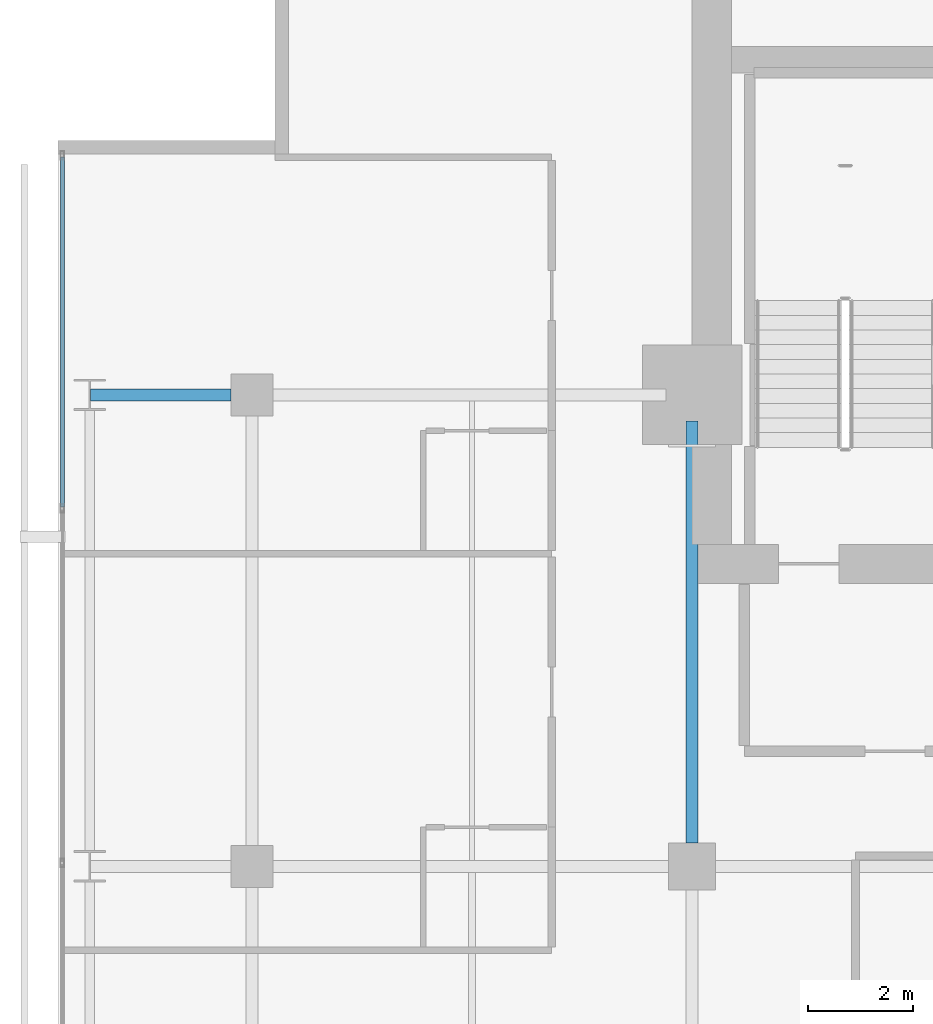
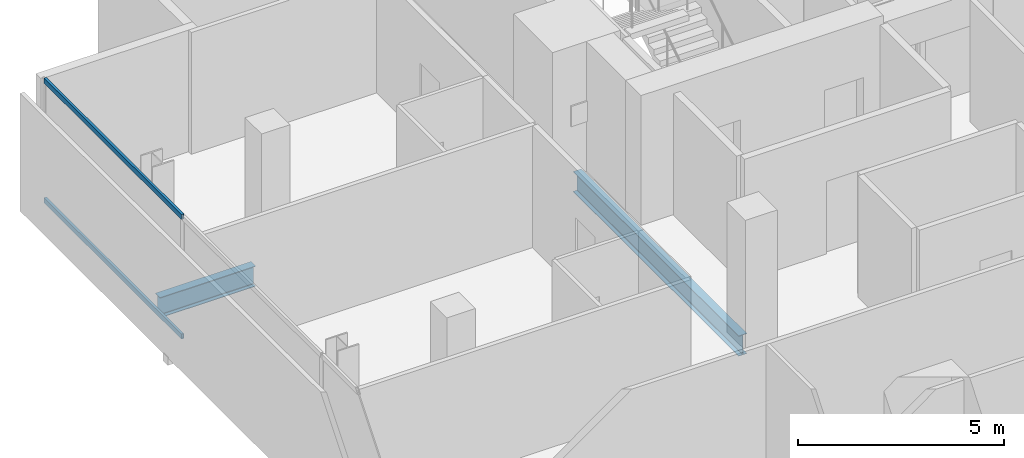
# One storey, part 19 of 34: 2 beams, 2 members, 1 element without a shape of its own.
"""IFC4 building model written with IfcOpenShell, lengths in metres."""

from ifc_helpers import new_model, si_unit, direction, frame, origin, origin_2d, place, context, subcontext, project, spatial, hollow_rectangle, i_section, extrude, material, layer, layer_set, material_profile, profile_set, type_object, element, aggregate, save


model = new_model("IFC4")

# Units and contexts
model_context = context("Model", 3, precision=1e-05, world=origin(), true_north=direction((0.0, 1.0)))
body_context = subcontext(model_context, "Body", "Model", "MODEL_VIEW")
ifc_project = project(units=[si_unit("LENGTHUNIT", "METRE"), si_unit("AREAUNIT", "SQUARE_METRE"), si_unit("VOLUMEUNIT", "CUBIC_METRE"), si_unit("PLANEANGLEUNIT", "RADIAN"), si_unit("MASSUNIT", "GRAM", prefix="KILO")], contexts=[model_context])

# Site, building, storey
site_placement = place(None, origin())
site = spatial("IfcSite", under=ifc_project, at=site_placement, CompositionType="ELEMENT")
building_placement = place(site_placement, origin())
building = spatial("IfcBuilding", under=site, at=building_placement, Name="Maruvema Waterfront Hotel and Observation Tower", CompositionType="ELEMENT")
storey_placement = place(building_placement, frame((0.0, 0.0, 185.14990234375)))
storey = spatial("IfcBuildingStorey", under=building, at=storey_placement, Name="L45", CompositionType="ELEMENT", Elevation=185.14990234375)

# Curtain wall, members
ifc_material_1 = material(Name="Anodised bronze aluminium and solar-control low-E IGU", Category="aluminium")
ifc_layer = layer(ifc_material_1, 0.159912109375, Name="Zone 2 Amber Inner Thermal Curtain Wall System CW-03")
ifc_layer_set = layer_set([ifc_layer], Name="Anodised bronze aluminium and solar-control low-E IGU")
curtain_wall_type = type_object("IfcCurtainWallType", Name="Zone 2 Amber Inner Thermal Curtain Wall System CW-03", PredefinedType="USERDEFINED", material=ifc_layer_set)
curtain_wall_placement = place(storey_placement, origin())
curtain_wall = element("IfcCurtainWall", 1, at=curtain_wall_placement, inside=storey, type_object=curtain_wall_type, Name="L45 Curtain Wall CW-L45-W", ObjectType="UNITISED CURTAIN WALL", PredefinedType="USERDEFINED")
ifc_material_2 = material(Name="Anodised architectural bronze aluminium", Category="aluminium")
ifc_material_profile_1 = material_profile(ifc_material_2, hollow_rectangle(XDim=0.070068359375, YDim=0.14990234375, WallThickness=0.00390625, at=origin_2d()), Name="ALU-T70x150")
ifc_profile_set_1 = profile_set([ifc_material_profile_1], Name="Anodised architectural bronze aluminium")
member_type = type_object("IfcMemberType", Name="Curtain Wall Horizontal Transom ALU-T70x150", PredefinedType="USERDEFINED", material=ifc_profile_set_1)
member_1_placement = place(storey_placement, frame((13.179931640625, 49.5400390625, 0.030029296875), z_axis=(0.0, -1.0, 0.0), x_axis=(1.0, 0.0, 0.0)))
member_1 = element("IfcMember", 2, at=member_1_placement, type_object=member_type, Name="CW-03 transom 1.1", ObjectType="TRANSOM", PredefinedType="USERDEFINED", context=body_context, shape_type="SweptSolid", body=[
    extrude(hollow_rectangle(XDim=0.070068359375, YDim=0.14990234375, WallThickness=0.00390625, at=origin_2d()), origin(), (0.0, 0.0, 1.0), 6.6767578125),
])
member_2_placement = place(storey_placement, frame((13.179931640625, 49.5400390625, 3.580078125), z_axis=(0.0, -1.0, 0.0), x_axis=(1.0, 0.0, 0.0)))
member_2 = element("IfcMember", 3, at=member_2_placement, type_object=member_type, Name="CW-03 transom 1.2", ObjectType="TRANSOM", PredefinedType="USERDEFINED", context=body_context, shape_type="SweptSolid", body=[
    extrude(hollow_rectangle(XDim=0.070068359375, YDim=0.14990234375, WallThickness=0.00390625, at=origin_2d()), origin(), (0.0, 0.0, 1.0), 6.6767578125),
])
aggregate(curtain_wall, [member_1, member_2])

# Beams
ifc_material_3 = material(Name="Steel ASTM A572 Grade 50", Category="steel")
ifc_material_profile_2 = material_profile(ifc_material_3, i_section(OverallWidth=0.22802734375, OverallDepth=0.60302734375, WebThickness=0.010498046875, FlangeThickness=0.014892578125, FilletRadius=0.01806640625, at=origin_2d()), Name="W610x101.0")
ifc_profile_set_2 = profile_set([ifc_material_profile_2], Name="Steel ASTM A572 Grade 50")
beam_type = type_object("IfcBeamType", Name="Primary Floor Girder W610x101.0", PredefinedType="BEAM", material=ifc_profile_set_2)
beam_1_placement = place(storey_placement, frame((13.71240234375, 45.0, -0.54150390625), z_axis=(1.0, 0.0, 0.0), x_axis=(0.0, 1.0, 0.0)))
element("IfcBeam", 4, at=beam_1_placement, inside=storey, type_object=beam_type, Name="L45 Floor Girder EW-30", PredefinedType="BEAM", context=body_context, shape_type="SweptSolid", body=[
    extrude(i_section(OverallWidth=0.22802734375, OverallDepth=0.60302734375, WebThickness=0.010498046875, FlangeThickness=0.014892578125, FilletRadius=0.01806640625, at=origin_2d()), origin(), (0.0, 0.0, 1.0), 2.6875),
])
beam_2_placement = place(storey_placement, frame((25.199951171875, 36.449951171875, -0.54150390625), z_axis=(0.0, 1.0, 0.0), x_axis=(-1.0, 0.0, 0.0)))
element("IfcBeam", 5, at=beam_2_placement, inside=storey, type_object=beam_type, Name="L45 Floor Girder NS-13", PredefinedType="BEAM", context=body_context, shape_type="SweptSolid", body=[
    extrude(i_section(OverallWidth=0.22802734375, OverallDepth=0.60302734375, WebThickness=0.010498046875, FlangeThickness=0.014892578125, FilletRadius=0.01806640625, at=origin_2d()), origin(), (0.0, 0.0, 1.0), 8.050048828125),
])

save(model, "model.ifc")
